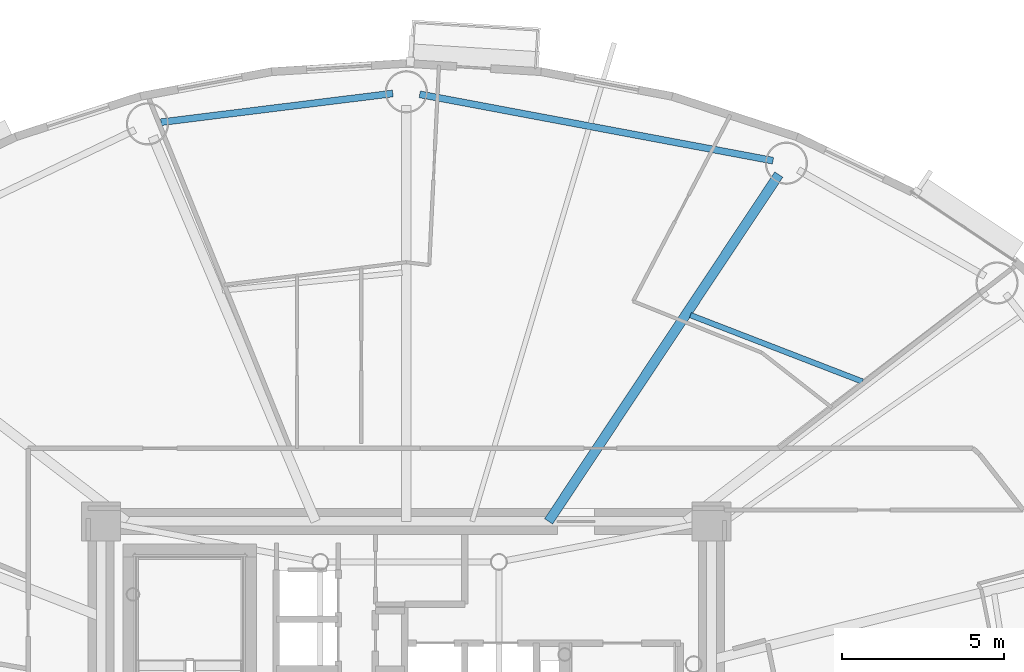
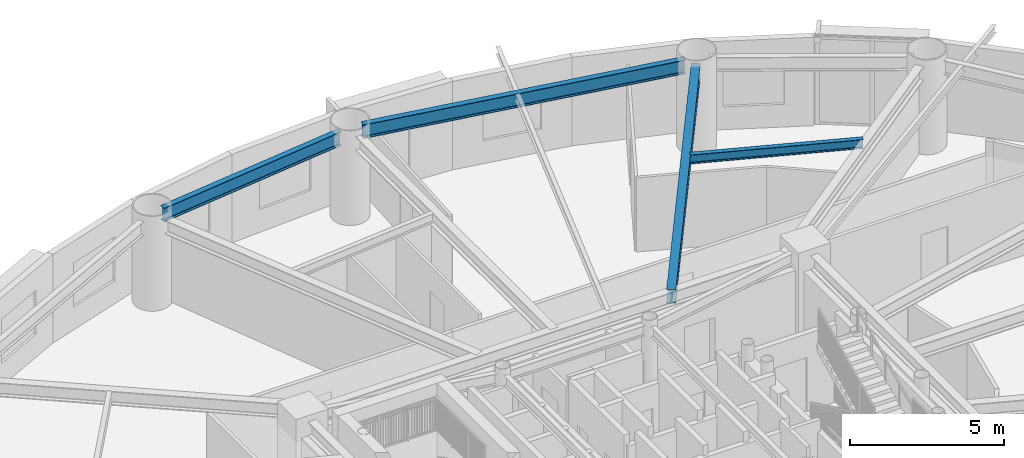
# One storey, part 4 of 18: 4 beams.
"""IFC4 building model written with IfcOpenShell, lengths in metres."""

from ifc_helpers import new_model, si_unit, direction, frame, origin, origin_2d, place, context, subcontext, project, spatial, i_section, extrude, material, material_profile, profile_set, type_object, element, save


model = new_model("IFC4")

# Units and contexts
model_context = context("Model", 3, precision=1e-05, world=origin(), true_north=direction((0.0, 1.0)))
body_context = subcontext(model_context, "Body", "Model", "MODEL_VIEW")
ifc_project = project(units=[si_unit("LENGTHUNIT", "METRE"), si_unit("AREAUNIT", "SQUARE_METRE"), si_unit("VOLUMEUNIT", "CUBIC_METRE"), si_unit("PLANEANGLEUNIT", "RADIAN"), si_unit("MASSUNIT", "GRAM", prefix="KILO")], contexts=[model_context])

# Site, building, storey
site_placement = place(None, origin())
site = spatial("IfcSite", under=ifc_project, at=site_placement, CompositionType="ELEMENT")
building_placement = place(site_placement, origin())
building = spatial("IfcBuilding", under=site, at=building_placement, Name="Linh Dai School and Residence Tower", CompositionType="ELEMENT")
storey_placement = place(building_placement, frame((0.0, 0.0, 186.14990234375)))
storey = spatial("IfcBuildingStorey", under=building, at=storey_placement, Name="L45", CompositionType="ELEMENT", Elevation=186.14990234375)

# Beams
ifc_material = material(Name="Structural Steel S355JR", Category="steel")
ifc_material_profile_1 = material_profile(ifc_material, i_section(OverallWidth=0.2099609375, OverallDepth=0.550048828125, WebThickness=0.010986328125, FlangeThickness=0.01708984375, FilletRadius=0.02392578125, at=origin_2d()), Name="IPE 550")
ifc_profile_set_1 = profile_set([ifc_material_profile_1], Name="Structural Steel S355JR")
beam_type_1 = type_object("IfcBeamType", Name="BM-RB55", PredefinedType="BEAM", material=ifc_profile_set_1)
beam_1_placement = place(storey_placement, frame((47.292724609375, 44.70849609375, 3.22509765625), z_axis=(-0.98280721278, 0.184634727255, 0.0), x_axis=(-0.184634727255, -0.98280721278, 0.0)))
element("IfcBeam", 1, at=beam_1_placement, inside=storey, type_object=beam_type_1, Name="L45 Perimeter Elliptical Ring Beam 04", PredefinedType="BEAM", context=body_context, shape_type="SweptSolid", body=[
    extrude(i_section(OverallWidth=0.2099609375, OverallDepth=0.550048828125, WebThickness=0.010986328125, FlangeThickness=0.01708984375, FilletRadius=0.02392578125, at=origin_2d()), origin(), (0.0, 0.0, 1.0), 11.0703125),
])
beam_2_placement = place(storey_placement, frame((35.583251953125, 46.7783203125, 3.22509765625), z_axis=(-0.992400597975, -0.123048986741, 0.0), x_axis=(0.123048986741, -0.992400597975, 0.0)))
element("IfcBeam", 2, at=beam_2_placement, inside=storey, type_object=beam_type_1, Name="L45 Perimeter Elliptical Ring Beam 05", PredefinedType="BEAM", context=body_context, shape_type="SweptSolid", body=[
    extrude(i_section(OverallWidth=0.2099609375, OverallDepth=0.550048828125, WebThickness=0.010986328125, FlangeThickness=0.01708984375, FilletRadius=0.02392578125, at=origin_2d()), origin(), (0.0, 0.0, 1.0), 7.1943359375),
])
ifc_material_profile_2 = material_profile(ifc_material, i_section(OverallWidth=0.300048828125, OverallDepth=0.550048828125, WebThickness=0.014892578125, FlangeThickness=0.029052734375, FilletRadius=0.027099609375, at=origin_2d()), Name="HEB 550")
ifc_profile_set_2 = profile_set([ifc_material_profile_2], Name="Structural Steel S355JR")
beam_type_2 = type_object("IfcBeamType", Name="BM-RG55", PredefinedType="BEAM", material=ifc_profile_set_2)
beam_3_placement = place(storey_placement, frame((40.3818359375, 33.60009765625, 3.22509765625), z_axis=(0.553117176317, 0.833103468522, 0.0), x_axis=(-0.833103468522, 0.553117176317, 0.0)))
element("IfcBeam", 3, at=beam_3_placement, inside=storey, type_object=beam_type_2, Name="L45 Primary Radial Floor Girder 04", PredefinedType="BEAM", context=body_context, shape_type="SweptSolid", body=[
    extrude(i_section(OverallWidth=0.300048828125, OverallDepth=0.550048828125, WebThickness=0.014892578125, FlangeThickness=0.029052734375, FilletRadius=0.027099609375, at=origin_2d()), origin(), (0.0, 0.0, 1.0), 12.820556640625),
])
ifc_material_profile_3 = material_profile(ifc_material, i_section(OverallWidth=0.169921875, OverallDepth=0.360107421875, WebThickness=0.008056640625, FlangeThickness=0.0126953125, FilletRadius=0.01806640625, at=origin_2d()), Name="IPE 360")
ifc_profile_set_3 = profile_set([ifc_material_profile_3], Name="Structural Steel S355JR")
beam_type_3 = type_object("IfcBeamType", Name="BM-SB36", PredefinedType="BEAM", material=ifc_profile_set_3)
beam_4_placement = place(storey_placement, frame((50.047607421875, 37.905029296875, 3.320068359375), z_axis=(-0.932814887644, 0.360355914881, 0.0), x_axis=(-0.360355914881, -0.932814887644, 0.0)))
element("IfcBeam", 4, at=beam_4_placement, inside=storey, type_object=beam_type_3, Name="L45 Secondary Circumferential Floor Beam 02", PredefinedType="BEAM", context=body_context, shape_type="SweptSolid", body=[
    extrude(i_section(OverallWidth=0.169921875, OverallDepth=0.360107421875, WebThickness=0.008056640625, FlangeThickness=0.0126953125, FilletRadius=0.01806640625, at=origin_2d()), origin(), (0.0, 0.0, 1.0), 5.67822265625),
])

save(model, "model.ifc")
